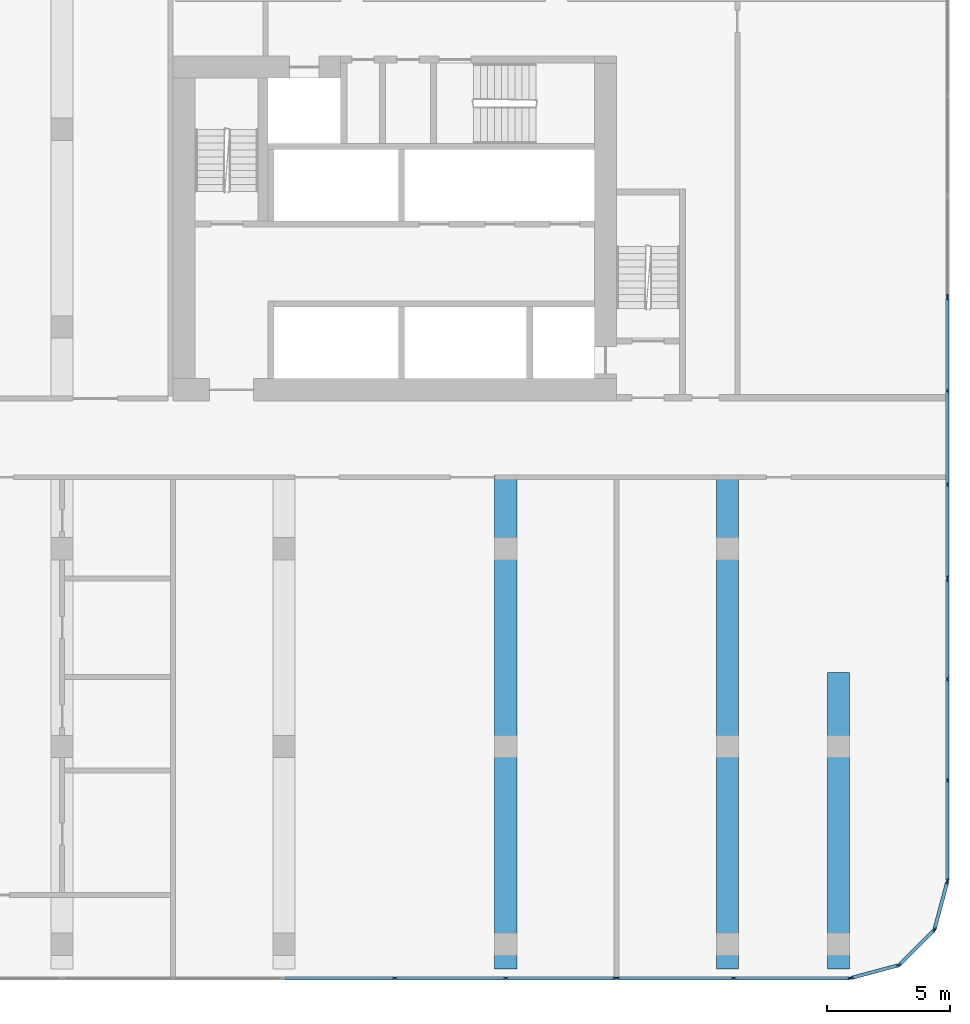
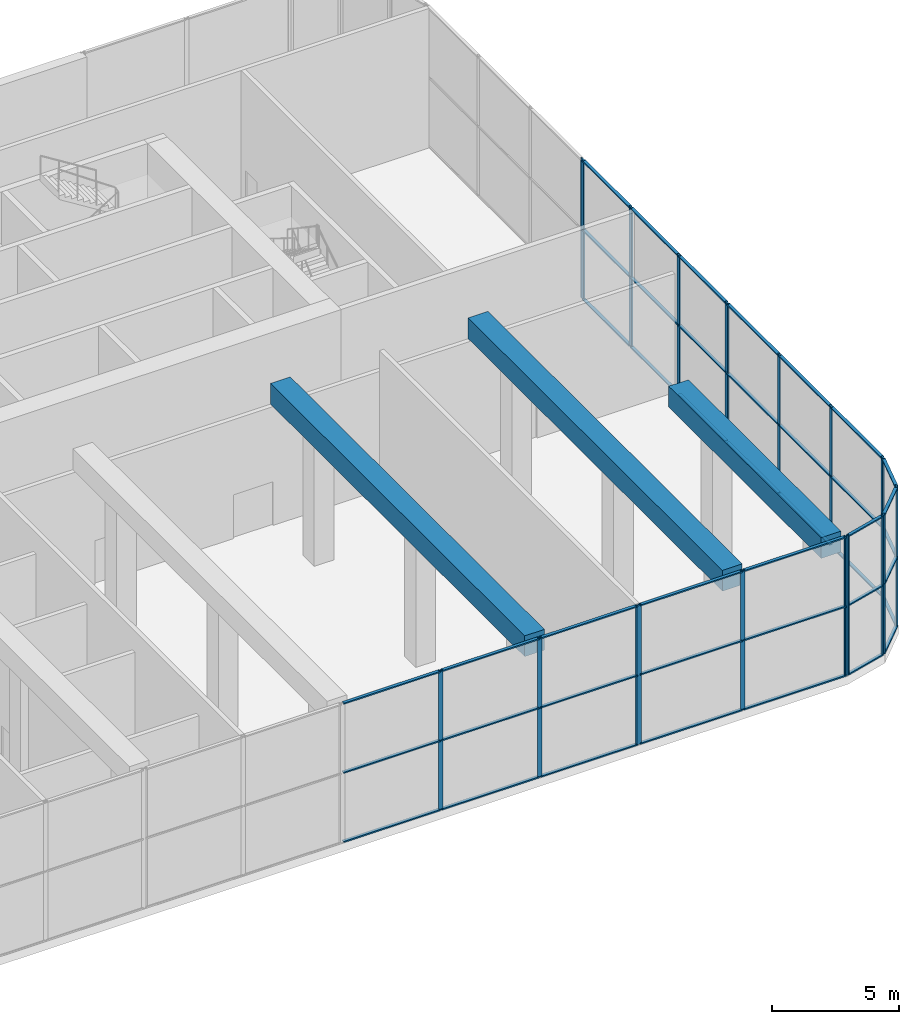
# One storey, part 7 of 23: 63 members, 3 beams, 8 elements without a shape of their own.
"""IFC4 building model written with IfcOpenShell, lengths in metres."""

from ifc_helpers import new_model, si_unit, direction, frame, origin, origin_2d, place, context, subcontext, project, spatial, rectangle, extrude, material, material_profile, profile_set, type_object, element, aggregate, save


model = new_model("IFC4")

# Units and contexts
model_context = context("Model", 3, precision=1e-05, world=origin(), true_north=direction((0.0, 1.0)))
body_context = subcontext(model_context, "Body", "Model", "MODEL_VIEW")
ifc_project = project(units=[si_unit("LENGTHUNIT", "METRE"), si_unit("AREAUNIT", "SQUARE_METRE"), si_unit("VOLUMEUNIT", "CUBIC_METRE"), si_unit("PLANEANGLEUNIT", "RADIAN"), si_unit("MASSUNIT", "GRAM", prefix="KILO")], contexts=[model_context])

# Site, building, storey
site_placement = place(None, origin())
site = spatial("IfcSite", under=ifc_project, at=site_placement, CompositionType="ELEMENT")
building_placement = place(site_placement, origin())
building = spatial("IfcBuilding", under=site, at=building_placement, Name="Kajstack Hotel Tower", CompositionType="ELEMENT")
storey_placement = place(building_placement, frame((0.0, 0.0, 53.0)))
storey = spatial("IfcBuildingStorey", under=building, at=storey_placement, Name="L08", CompositionType="ELEMENT", Elevation=53.0)

# Curtain wall, members
ifc_material_1 = material(Name="Aluminium-framed curtain wall, low-iron insulated glass", Category="aluminium")
curtain_wall_type = type_object("IfcCurtainWallType", Name="CW-GARDEN", PredefinedType="NOTDEFINED", material=ifc_material_1)
curtain_wall_1_placement = place(storey_placement, origin())
curtain_wall_1 = element("IfcCurtainWall", 1, at=curtain_wall_1_placement, inside=storey, type_object=curtain_wall_type, Name="Curtain wall CU6 L08-03-02-3", PredefinedType="NOTDEFINED")
ifc_material_2 = material(Name="Aluminium", Category="aluminium")
ifc_material_profile_1 = material_profile(ifc_material_2, rectangle(XDim=0.06005859375, YDim=0.199951171875, at=origin_2d()), Name="Aluminium mullion 60 x 200")
ifc_profile_set_1 = profile_set([ifc_material_profile_1], Name="Aluminium")
member_type_1 = type_object("IfcMemberType", Name="CW-M-GARDEN", PredefinedType="MULLION", material=ifc_profile_set_1)
member_1_placement = place(storey_placement, frame((22.5, -21.925048828125, 0.0), z_axis=(0.0, 0.0, 1.0), x_axis=(0.0, 1.0, 0.0)))
member_1 = element("IfcMember", 2, at=member_1_placement, type_object=member_type_1, Name="CU6 mullion 2", PredefinedType="MULLION", context=body_context, shape_type="SweptSolid", body=[
    extrude(rectangle(XDim=0.06005859375, YDim=0.199951171875, at=origin_2d()), origin(), (0.0, 0.0, 1.0), 6.719970703125),
])
member_2_placement = place(storey_placement, frame((27.0, -21.925048828125, 0.0), z_axis=(0.0, 0.0, 1.0), x_axis=(0.0, 1.0, 0.0)))
member_2 = element("IfcMember", 3, at=member_2_placement, type_object=member_type_1, Name="CU6 mullion 3", PredefinedType="MULLION", context=body_context, shape_type="SweptSolid", body=[
    extrude(rectangle(XDim=0.06005859375, YDim=0.199951171875, at=origin_2d()), origin(), (0.0, 0.0, 1.0), 6.719970703125),
])
member_3_placement = place(storey_placement, frame((31.469970703125, -21.925048828125, 0.0), z_axis=(0.0, 0.0, 1.0), x_axis=(0.0, 1.0, 0.0)))
member_3 = element("IfcMember", 4, at=member_3_placement, type_object=member_type_1, Name="CU6 mullion 4", PredefinedType="MULLION", context=body_context, shape_type="SweptSolid", body=[
    extrude(rectangle(XDim=0.06005859375, YDim=0.199951171875, at=origin_2d()), origin(), (0.0, 0.0, 1.0), 6.719970703125),
])

curtain_wall_2_placement = place(storey_placement, origin())
curtain_wall_2 = element("IfcCurtainWall", 5, at=curtain_wall_2_placement, inside=storey, type_object=curtain_wall_type, Name="Curtain wall CU6 L08-03-02-4", PredefinedType="NOTDEFINED")
member_4_placement = place(storey_placement, frame((31.530029296875, -21.925048828125, 0.0), z_axis=(0.0, 0.0, 1.0), x_axis=(0.0, 1.0, 0.0)))
member_4 = element("IfcMember", 6, at=member_4_placement, type_object=member_type_1, Name="CU6 mullion 1", PredefinedType="MULLION", context=body_context, shape_type="SweptSolid", body=[
    extrude(rectangle(XDim=0.06005859375, YDim=0.199951171875, at=origin_2d()), origin(), (0.0, 0.0, 1.0), 6.719970703125),
])
member_5_placement = place(storey_placement, frame((36.25, -21.925048828125, 0.0), z_axis=(0.0, 0.0, 1.0), x_axis=(0.0, 1.0, 0.0)))
member_5 = element("IfcMember", 7, at=member_5_placement, type_object=member_type_1, Name="CU6 mullion 2", PredefinedType="MULLION", context=body_context, shape_type="SweptSolid", body=[
    extrude(rectangle(XDim=0.06005859375, YDim=0.199951171875, at=origin_2d()), origin(), (0.0, 0.0, 1.0), 6.719970703125),
])
member_6_placement = place(storey_placement, frame((40.969970703125, -21.925048828125, 0.0), z_axis=(0.0, 0.0, 1.0), x_axis=(0.0, 1.0, 0.0)))
member_6 = element("IfcMember", 8, at=member_6_placement, type_object=member_type_1, Name="CU6 mullion 3", PredefinedType="MULLION", context=body_context, shape_type="SweptSolid", body=[
    extrude(rectangle(XDim=0.06005859375, YDim=0.199951171875, at=origin_2d()), origin(), (0.0, 0.0, 1.0), 6.719970703125),
])

curtain_wall_3_placement = place(storey_placement, origin())
curtain_wall_3 = element("IfcCurtainWall", 9, at=curtain_wall_3_placement, inside=storey, type_object=curtain_wall_type, Name="Curtain wall CU6 L08-04-00-0", PredefinedType="NOTDEFINED")
member_7_placement = place(storey_placement, frame((41.009521484375, -21.919677734375, 0.0), z_axis=(0.0, 0.0, 1.0), x_axis=(-0.258819772904, 0.965925631275, 0.0)))
member_7 = element("IfcMember", 10, at=member_7_placement, type_object=member_type_1, Name="CU6 mullion 1", PredefinedType="MULLION", context=body_context, shape_type="SweptSolid", body=[
    extrude(rectangle(XDim=0.06005859375, YDim=0.199951171875, at=origin_2d()), origin(), (0.0, 0.0, 1.0), 6.719970703125),
])
member_8_placement = place(storey_placement, frame((42.95166015625, -21.3994140625, 0.0), z_axis=(0.0, 0.0, 1.0), x_axis=(-0.258819772904, 0.965925631275, 0.0)))
member_8 = element("IfcMember", 11, at=member_8_placement, type_object=member_type_1, Name="CU6 mullion 2", PredefinedType="MULLION", context=body_context, shape_type="SweptSolid", body=[
    extrude(rectangle(XDim=0.06005859375, YDim=0.199951171875, at=origin_2d()), origin(), (0.0, 0.0, 1.0), 6.719970703125),
])

curtain_wall_4_placement = place(storey_placement, origin())
curtain_wall_4 = element("IfcCurtainWall", 12, at=curtain_wall_4_placement, inside=storey, type_object=curtain_wall_type, Name="Curtain wall CU6 L08-05-00-0", PredefinedType="NOTDEFINED")
member_9_placement = place(storey_placement, frame((42.96826171875, -21.389892578125, 0.0), z_axis=(0.0, 0.0, 1.0), x_axis=(-0.707106781187, 0.707106781187, 0.0)))
member_9 = element("IfcMember", 13, at=member_9_placement, type_object=member_type_1, Name="CU6 mullion 1", PredefinedType="MULLION", context=body_context, shape_type="SweptSolid", body=[
    extrude(rectangle(XDim=0.06005859375, YDim=0.199951171875, at=origin_2d()), origin(), (0.0, 0.0, 1.0), 6.719970703125),
])
member_10_placement = place(storey_placement, frame((44.389892578125, -19.96826171875, 0.0), z_axis=(0.0, 0.0, 1.0), x_axis=(-0.707106781187, 0.707106781187, 0.0)))
member_10 = element("IfcMember", 14, at=member_10_placement, type_object=member_type_1, Name="CU6 mullion 2", PredefinedType="MULLION", context=body_context, shape_type="SweptSolid", body=[
    extrude(rectangle(XDim=0.06005859375, YDim=0.199951171875, at=origin_2d()), origin(), (0.0, 0.0, 1.0), 6.719970703125),
])

curtain_wall_5_placement = place(storey_placement, origin())
curtain_wall_5 = element("IfcCurtainWall", 15, at=curtain_wall_5_placement, inside=storey, type_object=curtain_wall_type, Name="Curtain wall CU6 L08-06-00-0", PredefinedType="NOTDEFINED")
member_11_placement = place(storey_placement, frame((44.3994140625, -19.95166015625, 0.0), z_axis=(0.0, 0.0, 1.0), x_axis=(-0.965925631275, 0.258819772904, 0.0)))
member_11 = element("IfcMember", 16, at=member_11_placement, type_object=member_type_1, Name="CU6 mullion 1", PredefinedType="MULLION", context=body_context, shape_type="SweptSolid", body=[
    extrude(rectangle(XDim=0.06005859375, YDim=0.199951171875, at=origin_2d()), origin(), (0.0, 0.0, 1.0), 6.719970703125),
])
member_12_placement = place(storey_placement, frame((44.919677734375, -18.009521484375, 0.0), z_axis=(0.0, 0.0, 1.0), x_axis=(-0.965925631275, 0.258819772904, 0.0)))
member_12 = element("IfcMember", 17, at=member_12_placement, type_object=member_type_1, Name="CU6 mullion 2", PredefinedType="MULLION", context=body_context, shape_type="SweptSolid", body=[
    extrude(rectangle(XDim=0.06005859375, YDim=0.199951171875, at=origin_2d()), origin(), (0.0, 0.0, 1.0), 6.719970703125),
])

curtain_wall_6_placement = place(storey_placement, origin())
curtain_wall_6 = element("IfcCurtainWall", 18, at=curtain_wall_6_placement, inside=storey, type_object=curtain_wall_type, Name="Curtain wall CU6 L08-07-00-0", PredefinedType="NOTDEFINED")
member_13_placement = place(storey_placement, frame((44.925048828125, -17.969970703125, 0.0), z_axis=(0.0, 0.0, 1.0), x_axis=(-1.0, 0.0, 0.0)))
member_13 = element("IfcMember", 19, at=member_13_placement, type_object=member_type_1, Name="CU6 mullion 1", PredefinedType="MULLION", context=body_context, shape_type="SweptSolid", body=[
    extrude(rectangle(XDim=0.06005859375, YDim=0.199951171875, at=origin_2d()), origin(), (0.0, 0.0, 1.0), 6.719970703125),
])
member_14_placement = place(storey_placement, frame((44.925048828125, -13.89990234375, 0.0), z_axis=(0.0, 0.0, 1.0), x_axis=(-1.0, 0.0, 0.0)))
member_14 = element("IfcMember", 20, at=member_14_placement, type_object=member_type_1, Name="CU6 mullion 2", PredefinedType="MULLION", context=body_context, shape_type="SweptSolid", body=[
    extrude(rectangle(XDim=0.06005859375, YDim=0.199951171875, at=origin_2d()), origin(), (0.0, 0.0, 1.0), 6.719970703125),
])
member_15_placement = place(storey_placement, frame((44.925048828125, -9.800048828125, 0.0), z_axis=(0.0, 0.0, 1.0), x_axis=(-1.0, 0.0, 0.0)))
member_15 = element("IfcMember", 21, at=member_15_placement, type_object=member_type_1, Name="CU6 mullion 3", PredefinedType="MULLION", context=body_context, shape_type="SweptSolid", body=[
    extrude(rectangle(XDim=0.06005859375, YDim=0.199951171875, at=origin_2d()), origin(), (0.0, 0.0, 1.0), 6.719970703125),
])
member_16_placement = place(storey_placement, frame((44.925048828125, -5.72998046875, 0.0), z_axis=(0.0, 0.0, 1.0), x_axis=(-1.0, 0.0, 0.0)))
member_16 = element("IfcMember", 22, at=member_16_placement, type_object=member_type_1, Name="CU6 mullion 4", PredefinedType="MULLION", context=body_context, shape_type="SweptSolid", body=[
    extrude(rectangle(XDim=0.06005859375, YDim=0.199951171875, at=origin_2d()), origin(), (0.0, 0.0, 1.0), 6.719970703125),
])

curtain_wall_7_placement = place(storey_placement, origin())
curtain_wall_7 = element("IfcCurtainWall", 23, at=curtain_wall_7_placement, inside=storey, type_object=curtain_wall_type, Name="Curtain wall CU6 L08-07-00-1", PredefinedType="NOTDEFINED")
member_17_placement = place(storey_placement, frame((44.925048828125, -5.669921875, 0.0), z_axis=(0.0, 0.0, 1.0), x_axis=(-1.0, 0.0, 0.0)))
member_17 = element("IfcMember", 24, at=member_17_placement, type_object=member_type_1, Name="CU6 mullion 1", PredefinedType="MULLION", context=body_context, shape_type="SweptSolid", body=[
    extrude(rectangle(XDim=0.06005859375, YDim=0.199951171875, at=origin_2d()), origin(), (0.0, 0.0, 1.0), 6.719970703125),
])
member_18_placement = place(storey_placement, frame((44.925048828125, -1.89990234375, 0.0), z_axis=(0.0, 0.0, 1.0), x_axis=(-1.0, 0.0, 0.0)))
member_18 = element("IfcMember", 25, at=member_18_placement, type_object=member_type_1, Name="CU6 mullion 2", PredefinedType="MULLION", context=body_context, shape_type="SweptSolid", body=[
    extrude(rectangle(XDim=0.06005859375, YDim=0.199951171875, at=origin_2d()), origin(), (0.0, 0.0, 1.0), 6.719970703125),
])
member_19_placement = place(storey_placement, frame((44.925048828125, 1.89990234375, 0.0), z_axis=(0.0, 0.0, 1.0), x_axis=(-1.0, 0.0, 0.0)))
member_19 = element("IfcMember", 26, at=member_19_placement, type_object=member_type_1, Name="CU6 mullion 3", PredefinedType="MULLION", context=body_context, shape_type="SweptSolid", body=[
    extrude(rectangle(XDim=0.06005859375, YDim=0.199951171875, at=origin_2d()), origin(), (0.0, 0.0, 1.0), 6.719970703125),
])
member_20_placement = place(storey_placement, frame((44.925048828125, 5.669921875, 0.0), z_axis=(0.0, 0.0, 1.0), x_axis=(-1.0, 0.0, 0.0)))
member_20 = element("IfcMember", 27, at=member_20_placement, type_object=member_type_1, Name="CU6 mullion 4", PredefinedType="MULLION", context=body_context, shape_type="SweptSolid", body=[
    extrude(rectangle(XDim=0.06005859375, YDim=0.199951171875, at=origin_2d()), origin(), (0.0, 0.0, 1.0), 6.719970703125),
])

# Curtain wall, member
curtain_wall_8_placement = place(storey_placement, origin())
curtain_wall_8 = element("IfcCurtainWall", 28, at=curtain_wall_8_placement, inside=storey, type_object=curtain_wall_type, Name="Curtain wall CU6 L08-07-00-2", PredefinedType="NOTDEFINED")
member_21_placement = place(storey_placement, frame((44.925048828125, 5.72998046875, 0.0), z_axis=(0.0, 0.0, 1.0), x_axis=(-1.0, 0.0, 0.0)))
member_21 = element("IfcMember", 29, at=member_21_placement, type_object=member_type_1, Name="CU6 mullion 1", PredefinedType="MULLION", context=body_context, shape_type="SweptSolid", body=[
    extrude(rectangle(XDim=0.06005859375, YDim=0.199951171875, at=origin_2d()), origin(), (0.0, 0.0, 1.0), 6.719970703125),
])
aggregate(curtain_wall_8, [member_21])

# Member
ifc_material_profile_2 = material_profile(ifc_material_2, rectangle(XDim=0.139892578125, YDim=0.06005859375, at=origin_2d()), Name="Aluminium transom 140 x 60")
ifc_profile_set_2 = profile_set([ifc_material_profile_2], Name="Aluminium")
member_type_2 = type_object("IfcMemberType", Name="CW-T-GARDEN", PredefinedType="USERDEFINED", material=ifc_profile_set_2)
member_22_placement = place(storey_placement, frame((18.06005859375, -21.925048828125, 0.030029296875), z_axis=(1.0, 0.0, 0.0), x_axis=(0.0, 1.0, 0.0)))
member_22 = element("IfcMember", 30, at=member_22_placement, type_object=member_type_2, Name="CU6 transom 1.1", ObjectType="TRANSOM", PredefinedType="USERDEFINED", context=body_context, shape_type="SweptSolid", body=[
    extrude(rectangle(XDim=0.139892578125, YDim=0.06005859375, at=origin_2d()), origin(), (0.0, 0.0, 1.0), 4.409912109375),
])

member_23_placement = place(storey_placement, frame((18.06005859375, -21.925048828125, 3.360107421875), z_axis=(1.0, 0.0, 0.0), x_axis=(0.0, 1.0, 0.0)))
member_23 = element("IfcMember", 31, at=member_23_placement, type_object=member_type_2, Name="CU6 transom 1.2", ObjectType="TRANSOM", PredefinedType="USERDEFINED", context=body_context, shape_type="SweptSolid", body=[
    extrude(rectangle(XDim=0.139892578125, YDim=0.06005859375, at=origin_2d()), origin(), (0.0, 0.0, 1.0), 4.409912109375),
])

member_24_placement = place(storey_placement, frame((18.06005859375, -21.925048828125, 6.68994140625), z_axis=(1.0, 0.0, 0.0), x_axis=(0.0, 1.0, 0.0)))
member_24 = element("IfcMember", 32, at=member_24_placement, type_object=member_type_2, Name="CU6 transom 1.3", ObjectType="TRANSOM", PredefinedType="USERDEFINED", context=body_context, shape_type="SweptSolid", body=[
    extrude(rectangle(XDim=0.139892578125, YDim=0.06005859375, at=origin_2d()), origin(), (0.0, 0.0, 1.0), 4.409912109375),
])

member_25_placement = place(storey_placement, frame((22.530029296875, -21.925048828125, 0.030029296875), z_axis=(1.0, 0.0, 0.0), x_axis=(0.0, 1.0, 0.0)))
member_25 = element("IfcMember", 33, at=member_25_placement, type_object=member_type_2, Name="CU6 transom 2.1", ObjectType="TRANSOM", PredefinedType="USERDEFINED", context=body_context, shape_type="SweptSolid", body=[
    extrude(rectangle(XDim=0.139892578125, YDim=0.06005859375, at=origin_2d()), origin(), (0.0, 0.0, 1.0), 4.43994140625),
])

member_26_placement = place(storey_placement, frame((22.530029296875, -21.925048828125, 3.360107421875), z_axis=(1.0, 0.0, 0.0), x_axis=(0.0, 1.0, 0.0)))
member_26 = element("IfcMember", 34, at=member_26_placement, type_object=member_type_2, Name="CU6 transom 2.2", ObjectType="TRANSOM", PredefinedType="USERDEFINED", context=body_context, shape_type="SweptSolid", body=[
    extrude(rectangle(XDim=0.139892578125, YDim=0.06005859375, at=origin_2d()), origin(), (0.0, 0.0, 1.0), 4.43994140625),
])

member_27_placement = place(storey_placement, frame((22.530029296875, -21.925048828125, 6.68994140625), z_axis=(1.0, 0.0, 0.0), x_axis=(0.0, 1.0, 0.0)))
member_27 = element("IfcMember", 35, at=member_27_placement, type_object=member_type_2, Name="CU6 transom 2.3", ObjectType="TRANSOM", PredefinedType="USERDEFINED", context=body_context, shape_type="SweptSolid", body=[
    extrude(rectangle(XDim=0.139892578125, YDim=0.06005859375, at=origin_2d()), origin(), (0.0, 0.0, 1.0), 4.43994140625),
])

member_28_placement = place(storey_placement, frame((27.030029296875, -21.925048828125, 0.030029296875), z_axis=(1.0, 0.0, 0.0), x_axis=(0.0, 1.0, 0.0)))
member_28 = element("IfcMember", 36, at=member_28_placement, type_object=member_type_2, Name="CU6 transom 3.1", ObjectType="TRANSOM", PredefinedType="USERDEFINED", context=body_context, shape_type="SweptSolid", body=[
    extrude(rectangle(XDim=0.139892578125, YDim=0.06005859375, at=origin_2d()), origin(), (0.0, 0.0, 1.0), 4.409912109375),
])

member_29_placement = place(storey_placement, frame((27.030029296875, -21.925048828125, 3.360107421875), z_axis=(1.0, 0.0, 0.0), x_axis=(0.0, 1.0, 0.0)))
member_29 = element("IfcMember", 37, at=member_29_placement, type_object=member_type_2, Name="CU6 transom 3.2", ObjectType="TRANSOM", PredefinedType="USERDEFINED", context=body_context, shape_type="SweptSolid", body=[
    extrude(rectangle(XDim=0.139892578125, YDim=0.06005859375, at=origin_2d()), origin(), (0.0, 0.0, 1.0), 4.409912109375),
])

member_30_placement = place(storey_placement, frame((27.030029296875, -21.925048828125, 6.68994140625), z_axis=(1.0, 0.0, 0.0), x_axis=(0.0, 1.0, 0.0)))
member_30 = element("IfcMember", 38, at=member_30_placement, type_object=member_type_2, Name="CU6 transom 3.3", ObjectType="TRANSOM", PredefinedType="USERDEFINED", context=body_context, shape_type="SweptSolid", body=[
    extrude(rectangle(XDim=0.139892578125, YDim=0.06005859375, at=origin_2d()), origin(), (0.0, 0.0, 1.0), 4.409912109375),
])

aggregate(curtain_wall_1, [member_1, member_2, member_3, member_22, member_23, member_24, member_25, member_26, member_27, member_28, member_29, member_30])

member_31_placement = place(storey_placement, frame((31.56005859375, -21.925048828125, 0.030029296875), z_axis=(1.0, 0.0, 0.0), x_axis=(0.0, 1.0, 0.0)))
member_31 = element("IfcMember", 39, at=member_31_placement, type_object=member_type_2, Name="CU6 transom 1.1", ObjectType="TRANSOM", PredefinedType="USERDEFINED", context=body_context, shape_type="SweptSolid", body=[
    extrude(rectangle(XDim=0.139892578125, YDim=0.06005859375, at=origin_2d()), origin(), (0.0, 0.0, 1.0), 4.659912109375),
])

member_32_placement = place(storey_placement, frame((31.56005859375, -21.925048828125, 3.360107421875), z_axis=(1.0, 0.0, 0.0), x_axis=(0.0, 1.0, 0.0)))
member_32 = element("IfcMember", 40, at=member_32_placement, type_object=member_type_2, Name="CU6 transom 1.2", ObjectType="TRANSOM", PredefinedType="USERDEFINED", context=body_context, shape_type="SweptSolid", body=[
    extrude(rectangle(XDim=0.139892578125, YDim=0.06005859375, at=origin_2d()), origin(), (0.0, 0.0, 1.0), 4.659912109375),
])

member_33_placement = place(storey_placement, frame((31.56005859375, -21.925048828125, 6.68994140625), z_axis=(1.0, 0.0, 0.0), x_axis=(0.0, 1.0, 0.0)))
member_33 = element("IfcMember", 41, at=member_33_placement, type_object=member_type_2, Name="CU6 transom 1.3", ObjectType="TRANSOM", PredefinedType="USERDEFINED", context=body_context, shape_type="SweptSolid", body=[
    extrude(rectangle(XDim=0.139892578125, YDim=0.06005859375, at=origin_2d()), origin(), (0.0, 0.0, 1.0), 4.659912109375),
])

member_34_placement = place(storey_placement, frame((36.280029296875, -21.925048828125, 0.030029296875), z_axis=(1.0, 0.0, 0.0), x_axis=(0.0, 1.0, 0.0)))
member_34 = element("IfcMember", 42, at=member_34_placement, type_object=member_type_2, Name="CU6 transom 2.1", ObjectType="TRANSOM", PredefinedType="USERDEFINED", context=body_context, shape_type="SweptSolid", body=[
    extrude(rectangle(XDim=0.139892578125, YDim=0.06005859375, at=origin_2d()), origin(), (0.0, 0.0, 1.0), 4.659912109375),
])

member_35_placement = place(storey_placement, frame((36.280029296875, -21.925048828125, 3.360107421875), z_axis=(1.0, 0.0, 0.0), x_axis=(0.0, 1.0, 0.0)))
member_35 = element("IfcMember", 43, at=member_35_placement, type_object=member_type_2, Name="CU6 transom 2.2", ObjectType="TRANSOM", PredefinedType="USERDEFINED", context=body_context, shape_type="SweptSolid", body=[
    extrude(rectangle(XDim=0.139892578125, YDim=0.06005859375, at=origin_2d()), origin(), (0.0, 0.0, 1.0), 4.659912109375),
])

member_36_placement = place(storey_placement, frame((36.280029296875, -21.925048828125, 6.68994140625), z_axis=(1.0, 0.0, 0.0), x_axis=(0.0, 1.0, 0.0)))
member_36 = element("IfcMember", 44, at=member_36_placement, type_object=member_type_2, Name="CU6 transom 2.3", ObjectType="TRANSOM", PredefinedType="USERDEFINED", context=body_context, shape_type="SweptSolid", body=[
    extrude(rectangle(XDim=0.139892578125, YDim=0.06005859375, at=origin_2d()), origin(), (0.0, 0.0, 1.0), 4.659912109375),
])

aggregate(curtain_wall_2, [member_4, member_5, member_6, member_31, member_32, member_33, member_34, member_35, member_36])

member_37_placement = place(storey_placement, frame((41.03857421875, -21.912109375, 0.030029296875), z_axis=(0.96591843844, 0.258846615355, 0.0), x_axis=(-0.258846615355, 0.96591843844, 0.0)))
member_37 = element("IfcMember", 45, at=member_37_placement, type_object=member_type_2, Name="CU6 transom 1.1", ObjectType="TRANSOM", PredefinedType="USERDEFINED", context=body_context, shape_type="SweptSolid", body=[
    extrude(rectangle(XDim=0.139892578125, YDim=0.06005859375, at=origin_2d()), origin(), (0.0, 0.0, 1.0), 1.950439453125),
])

member_38_placement = place(storey_placement, frame((41.03857421875, -21.912109375, 3.360107421875), z_axis=(0.96591843844, 0.258846615355, 0.0), x_axis=(-0.258846615355, 0.96591843844, 0.0)))
member_38 = element("IfcMember", 46, at=member_38_placement, type_object=member_type_2, Name="CU6 transom 1.2", ObjectType="TRANSOM", PredefinedType="USERDEFINED", context=body_context, shape_type="SweptSolid", body=[
    extrude(rectangle(XDim=0.139892578125, YDim=0.06005859375, at=origin_2d()), origin(), (0.0, 0.0, 1.0), 1.950439453125),
])

member_39_placement = place(storey_placement, frame((41.03857421875, -21.912109375, 6.68994140625), z_axis=(0.96591843844, 0.258846615355, 0.0), x_axis=(-0.258846615355, 0.96591843844, 0.0)))
member_39 = element("IfcMember", 47, at=member_39_placement, type_object=member_type_2, Name="CU6 transom 1.3", ObjectType="TRANSOM", PredefinedType="USERDEFINED", context=body_context, shape_type="SweptSolid", body=[
    extrude(rectangle(XDim=0.139892578125, YDim=0.06005859375, at=origin_2d()), origin(), (0.0, 0.0, 1.0), 1.950439453125),
])

aggregate(curtain_wall_3, [member_7, member_8, member_37, member_38, member_39])

member_40_placement = place(storey_placement, frame((42.989501953125, -21.36865234375, 0.030029296875), z_axis=(0.707106781187, 0.707106781187, 0.0), x_axis=(-0.707106781187, 0.707106781187, 0.0)))
member_40 = element("IfcMember", 48, at=member_40_placement, type_object=member_type_2, Name="CU6 transom 1.1", ObjectType="TRANSOM", PredefinedType="USERDEFINED", context=body_context, shape_type="SweptSolid", body=[
    extrude(rectangle(XDim=0.139892578125, YDim=0.06005859375, at=origin_2d()), origin(), (0.0, 0.0, 1.0), 1.950439453125),
])

member_41_placement = place(storey_placement, frame((42.989501953125, -21.36865234375, 3.360107421875), z_axis=(0.707106781187, 0.707106781187, 0.0), x_axis=(-0.707106781187, 0.707106781187, 0.0)))
member_41 = element("IfcMember", 49, at=member_41_placement, type_object=member_type_2, Name="CU6 transom 1.2", ObjectType="TRANSOM", PredefinedType="USERDEFINED", context=body_context, shape_type="SweptSolid", body=[
    extrude(rectangle(XDim=0.139892578125, YDim=0.06005859375, at=origin_2d()), origin(), (0.0, 0.0, 1.0), 1.950439453125),
])

member_42_placement = place(storey_placement, frame((42.989501953125, -21.36865234375, 6.68994140625), z_axis=(0.707106781187, 0.707106781187, 0.0), x_axis=(-0.707106781187, 0.707106781187, 0.0)))
member_42 = element("IfcMember", 50, at=member_42_placement, type_object=member_type_2, Name="CU6 transom 1.3", ObjectType="TRANSOM", PredefinedType="USERDEFINED", context=body_context, shape_type="SweptSolid", body=[
    extrude(rectangle(XDim=0.139892578125, YDim=0.06005859375, at=origin_2d()), origin(), (0.0, 0.0, 1.0), 1.950439453125),
])

aggregate(curtain_wall_4, [member_9, member_10, member_40, member_41, member_42])

member_43_placement = place(storey_placement, frame((44.4072265625, -19.922607421875, 0.030029296875), z_axis=(0.258846615355, 0.96591843844, 0.0), x_axis=(-0.96591843844, 0.258846615355, 0.0)))
member_43 = element("IfcMember", 51, at=member_43_placement, type_object=member_type_2, Name="CU6 transom 1.1", ObjectType="TRANSOM", PredefinedType="USERDEFINED", context=body_context, shape_type="SweptSolid", body=[
    extrude(rectangle(XDim=0.139892578125, YDim=0.06005859375, at=origin_2d()), origin(), (0.0, 0.0, 1.0), 1.950439453125),
])

member_44_placement = place(storey_placement, frame((44.4072265625, -19.922607421875, 3.360107421875), z_axis=(0.258846615355, 0.96591843844, 0.0), x_axis=(-0.96591843844, 0.258846615355, 0.0)))
member_44 = element("IfcMember", 52, at=member_44_placement, type_object=member_type_2, Name="CU6 transom 1.2", ObjectType="TRANSOM", PredefinedType="USERDEFINED", context=body_context, shape_type="SweptSolid", body=[
    extrude(rectangle(XDim=0.139892578125, YDim=0.06005859375, at=origin_2d()), origin(), (0.0, 0.0, 1.0), 1.950439453125),
])

member_45_placement = place(storey_placement, frame((44.4072265625, -19.922607421875, 6.68994140625), z_axis=(0.258846615355, 0.96591843844, 0.0), x_axis=(-0.96591843844, 0.258846615355, 0.0)))
member_45 = element("IfcMember", 53, at=member_45_placement, type_object=member_type_2, Name="CU6 transom 1.3", ObjectType="TRANSOM", PredefinedType="USERDEFINED", context=body_context, shape_type="SweptSolid", body=[
    extrude(rectangle(XDim=0.139892578125, YDim=0.06005859375, at=origin_2d()), origin(), (0.0, 0.0, 1.0), 1.950439453125),
])

aggregate(curtain_wall_5, [member_11, member_12, member_43, member_44, member_45])

member_46_placement = place(storey_placement, frame((44.925048828125, -17.93994140625, 0.030029296875), z_axis=(0.0, 1.0, 0.0), x_axis=(-1.0, 0.0, 0.0)))
member_46 = element("IfcMember", 54, at=member_46_placement, type_object=member_type_2, Name="CU6 transom 1.1", ObjectType="TRANSOM", PredefinedType="USERDEFINED", context=body_context, shape_type="SweptSolid", body=[
    extrude(rectangle(XDim=0.139892578125, YDim=0.06005859375, at=origin_2d()), origin(), (0.0, 0.0, 1.0), 4.010009765625),
])

member_47_placement = place(storey_placement, frame((44.925048828125, -17.93994140625, 3.360107421875), z_axis=(0.0, 1.0, 0.0), x_axis=(-1.0, 0.0, 0.0)))
member_47 = element("IfcMember", 55, at=member_47_placement, type_object=member_type_2, Name="CU6 transom 1.2", ObjectType="TRANSOM", PredefinedType="USERDEFINED", context=body_context, shape_type="SweptSolid", body=[
    extrude(rectangle(XDim=0.139892578125, YDim=0.06005859375, at=origin_2d()), origin(), (0.0, 0.0, 1.0), 4.010009765625),
])

member_48_placement = place(storey_placement, frame((44.925048828125, -17.93994140625, 6.68994140625), z_axis=(0.0, 1.0, 0.0), x_axis=(-1.0, 0.0, 0.0)))
member_48 = element("IfcMember", 56, at=member_48_placement, type_object=member_type_2, Name="CU6 transom 1.3", ObjectType="TRANSOM", PredefinedType="USERDEFINED", context=body_context, shape_type="SweptSolid", body=[
    extrude(rectangle(XDim=0.139892578125, YDim=0.06005859375, at=origin_2d()), origin(), (0.0, 0.0, 1.0), 4.010009765625),
])

member_49_placement = place(storey_placement, frame((44.925048828125, -13.8701171875, 0.030029296875), z_axis=(0.0, 1.0, 0.0), x_axis=(-1.0, 0.0, 0.0)))
member_49 = element("IfcMember", 57, at=member_49_placement, type_object=member_type_2, Name="CU6 transom 2.1", ObjectType="TRANSOM", PredefinedType="USERDEFINED", context=body_context, shape_type="SweptSolid", body=[
    extrude(rectangle(XDim=0.139892578125, YDim=0.06005859375, at=origin_2d()), origin(), (0.0, 0.0, 1.0), 4.0400390625),
])

member_50_placement = place(storey_placement, frame((44.925048828125, -13.8701171875, 3.360107421875), z_axis=(0.0, 1.0, 0.0), x_axis=(-1.0, 0.0, 0.0)))
member_50 = element("IfcMember", 58, at=member_50_placement, type_object=member_type_2, Name="CU6 transom 2.2", ObjectType="TRANSOM", PredefinedType="USERDEFINED", context=body_context, shape_type="SweptSolid", body=[
    extrude(rectangle(XDim=0.139892578125, YDim=0.06005859375, at=origin_2d()), origin(), (0.0, 0.0, 1.0), 4.0400390625),
])

member_51_placement = place(storey_placement, frame((44.925048828125, -13.8701171875, 6.68994140625), z_axis=(0.0, 1.0, 0.0), x_axis=(-1.0, 0.0, 0.0)))
member_51 = element("IfcMember", 59, at=member_51_placement, type_object=member_type_2, Name="CU6 transom 2.3", ObjectType="TRANSOM", PredefinedType="USERDEFINED", context=body_context, shape_type="SweptSolid", body=[
    extrude(rectangle(XDim=0.139892578125, YDim=0.06005859375, at=origin_2d()), origin(), (0.0, 0.0, 1.0), 4.0400390625),
])

member_52_placement = place(storey_placement, frame((44.925048828125, -9.77001953125, 0.030029296875), z_axis=(0.0, 1.0, 0.0), x_axis=(-1.0, 0.0, 0.0)))
member_52 = element("IfcMember", 60, at=member_52_placement, type_object=member_type_2, Name="CU6 transom 3.1", ObjectType="TRANSOM", PredefinedType="USERDEFINED", context=body_context, shape_type="SweptSolid", body=[
    extrude(rectangle(XDim=0.139892578125, YDim=0.06005859375, at=origin_2d()), origin(), (0.0, 0.0, 1.0), 4.010009765625),
])

member_53_placement = place(storey_placement, frame((44.925048828125, -9.77001953125, 3.360107421875), z_axis=(0.0, 1.0, 0.0), x_axis=(-1.0, 0.0, 0.0)))
member_53 = element("IfcMember", 61, at=member_53_placement, type_object=member_type_2, Name="CU6 transom 3.2", ObjectType="TRANSOM", PredefinedType="USERDEFINED", context=body_context, shape_type="SweptSolid", body=[
    extrude(rectangle(XDim=0.139892578125, YDim=0.06005859375, at=origin_2d()), origin(), (0.0, 0.0, 1.0), 4.010009765625),
])

member_54_placement = place(storey_placement, frame((44.925048828125, -9.77001953125, 6.68994140625), z_axis=(0.0, 1.0, 0.0), x_axis=(-1.0, 0.0, 0.0)))
member_54 = element("IfcMember", 62, at=member_54_placement, type_object=member_type_2, Name="CU6 transom 3.3", ObjectType="TRANSOM", PredefinedType="USERDEFINED", context=body_context, shape_type="SweptSolid", body=[
    extrude(rectangle(XDim=0.139892578125, YDim=0.06005859375, at=origin_2d()), origin(), (0.0, 0.0, 1.0), 4.010009765625),
])

aggregate(curtain_wall_6, [member_13, member_14, member_15, member_16, member_46, member_47, member_48, member_49, member_50, member_51, member_52, member_53, member_54])

member_55_placement = place(storey_placement, frame((44.925048828125, -5.639892578125, 0.030029296875), z_axis=(0.0, 1.0, 0.0), x_axis=(-1.0, 0.0, 0.0)))
member_55 = element("IfcMember", 63, at=member_55_placement, type_object=member_type_2, Name="CU6 transom 1.1", ObjectType="TRANSOM", PredefinedType="USERDEFINED", context=body_context, shape_type="SweptSolid", body=[
    extrude(rectangle(XDim=0.139892578125, YDim=0.06005859375, at=origin_2d()), origin(), (0.0, 0.0, 1.0), 3.7099609375),
])

member_56_placement = place(storey_placement, frame((44.925048828125, -5.639892578125, 3.360107421875), z_axis=(0.0, 1.0, 0.0), x_axis=(-1.0, 0.0, 0.0)))
member_56 = element("IfcMember", 64, at=member_56_placement, type_object=member_type_2, Name="CU6 transom 1.2", ObjectType="TRANSOM", PredefinedType="USERDEFINED", context=body_context, shape_type="SweptSolid", body=[
    extrude(rectangle(XDim=0.139892578125, YDim=0.06005859375, at=origin_2d()), origin(), (0.0, 0.0, 1.0), 3.7099609375),
])

member_57_placement = place(storey_placement, frame((44.925048828125, -5.639892578125, 6.68994140625), z_axis=(0.0, 1.0, 0.0), x_axis=(-1.0, 0.0, 0.0)))
member_57 = element("IfcMember", 65, at=member_57_placement, type_object=member_type_2, Name="CU6 transom 1.3", ObjectType="TRANSOM", PredefinedType="USERDEFINED", context=body_context, shape_type="SweptSolid", body=[
    extrude(rectangle(XDim=0.139892578125, YDim=0.06005859375, at=origin_2d()), origin(), (0.0, 0.0, 1.0), 3.7099609375),
])

member_58_placement = place(storey_placement, frame((44.925048828125, -1.8701171875, 0.030029296875), z_axis=(0.0, 1.0, 0.0), x_axis=(-1.0, 0.0, 0.0)))
member_58 = element("IfcMember", 66, at=member_58_placement, type_object=member_type_2, Name="CU6 transom 2.1", ObjectType="TRANSOM", PredefinedType="USERDEFINED", context=body_context, shape_type="SweptSolid", body=[
    extrude(rectangle(XDim=0.139892578125, YDim=0.06005859375, at=origin_2d()), origin(), (0.0, 0.0, 1.0), 3.740234375),
])

member_59_placement = place(storey_placement, frame((44.925048828125, -1.8701171875, 3.360107421875), z_axis=(0.0, 1.0, 0.0), x_axis=(-1.0, 0.0, 0.0)))
member_59 = element("IfcMember", 67, at=member_59_placement, type_object=member_type_2, Name="CU6 transom 2.2", ObjectType="TRANSOM", PredefinedType="USERDEFINED", context=body_context, shape_type="SweptSolid", body=[
    extrude(rectangle(XDim=0.139892578125, YDim=0.06005859375, at=origin_2d()), origin(), (0.0, 0.0, 1.0), 3.740234375),
])

member_60_placement = place(storey_placement, frame((44.925048828125, -1.8701171875, 6.68994140625), z_axis=(0.0, 1.0, 0.0), x_axis=(-1.0, 0.0, 0.0)))
member_60 = element("IfcMember", 68, at=member_60_placement, type_object=member_type_2, Name="CU6 transom 2.3", ObjectType="TRANSOM", PredefinedType="USERDEFINED", context=body_context, shape_type="SweptSolid", body=[
    extrude(rectangle(XDim=0.139892578125, YDim=0.06005859375, at=origin_2d()), origin(), (0.0, 0.0, 1.0), 3.740234375),
])

member_61_placement = place(storey_placement, frame((44.925048828125, 1.929931640625, 0.030029296875), z_axis=(0.0, 1.0, 0.0), x_axis=(-1.0, 0.0, 0.0)))
member_61 = element("IfcMember", 69, at=member_61_placement, type_object=member_type_2, Name="CU6 transom 3.1", ObjectType="TRANSOM", PredefinedType="USERDEFINED", context=body_context, shape_type="SweptSolid", body=[
    extrude(rectangle(XDim=0.139892578125, YDim=0.06005859375, at=origin_2d()), origin(), (0.0, 0.0, 1.0), 3.7099609375),
])

member_62_placement = place(storey_placement, frame((44.925048828125, 1.929931640625, 3.360107421875), z_axis=(0.0, 1.0, 0.0), x_axis=(-1.0, 0.0, 0.0)))
member_62 = element("IfcMember", 70, at=member_62_placement, type_object=member_type_2, Name="CU6 transom 3.2", ObjectType="TRANSOM", PredefinedType="USERDEFINED", context=body_context, shape_type="SweptSolid", body=[
    extrude(rectangle(XDim=0.139892578125, YDim=0.06005859375, at=origin_2d()), origin(), (0.0, 0.0, 1.0), 3.7099609375),
])

member_63_placement = place(storey_placement, frame((44.925048828125, 1.929931640625, 6.68994140625), z_axis=(0.0, 1.0, 0.0), x_axis=(-1.0, 0.0, 0.0)))
member_63 = element("IfcMember", 71, at=member_63_placement, type_object=member_type_2, Name="CU6 transom 3.3", ObjectType="TRANSOM", PredefinedType="USERDEFINED", context=body_context, shape_type="SweptSolid", body=[
    extrude(rectangle(XDim=0.139892578125, YDim=0.06005859375, at=origin_2d()), origin(), (0.0, 0.0, 1.0), 3.7099609375),
])

aggregate(curtain_wall_7, [member_17, member_18, member_19, member_20, member_55, member_56, member_57, member_58, member_59, member_60, member_61, member_62, member_63])

# Beams
ifc_material_3 = material(Name="Concrete C60/75", Category="concrete")
ifc_material_profile_3 = material_profile(ifc_material_3, rectangle(XDim=0.89990234375, YDim=1.0, at=origin_2d()), Name="RC 900x1000")
ifc_profile_set_3 = profile_set([ifc_material_profile_3], Name="Concrete C60/75")
beam_type = type_object("IfcBeamType", Name="TG1 RC 900x1000 C60/75", PredefinedType="BEAM", material=ifc_profile_set_3)
for number, where, z_axis, x_axis, name in (
    (72, (27.0, -21.550048828125, 6.219970703125), (0.0, 1.0, 0.0), (-1.0, 0.0, 0.0), "S-girder-L08-+27p0-1"),
    (73, (36.0, -21.550048828125, 6.219970703125), (0.0, 1.0, 0.0), (-1.0, 0.0, 0.0), "S-girder-L08-+36p0-1"),
):
    element("IfcBeam", number, at=place(storey_placement, frame(where, z_axis=z_axis, x_axis=x_axis)), inside=storey, type_object=beam_type, Name=name, PredefinedType="BEAM", context=body_context, shape_type="SweptSolid", body=[
        extrude(rectangle(XDim=0.89990234375, YDim=1.0, at=origin_2d()), origin(), (0.0, 0.0, 1.0), 20.050048828125),
    ])
beam_placement = place(storey_placement, frame((40.5, -21.550048828125, 6.219970703125), z_axis=(0.0, 1.0, 0.0), x_axis=(-1.0, 0.0, 0.0)))
element("IfcBeam", 74, at=beam_placement, inside=storey, type_object=beam_type, Name="S-girder-L08-+40p5-1", PredefinedType="BEAM", context=body_context, shape_type="SweptSolid", body=[
    extrude(rectangle(XDim=0.89990234375, YDim=1.0, at=origin_2d()), origin(), (0.0, 0.0, 1.0), 12.025146484375),
])

save(model, "model.ifc")
